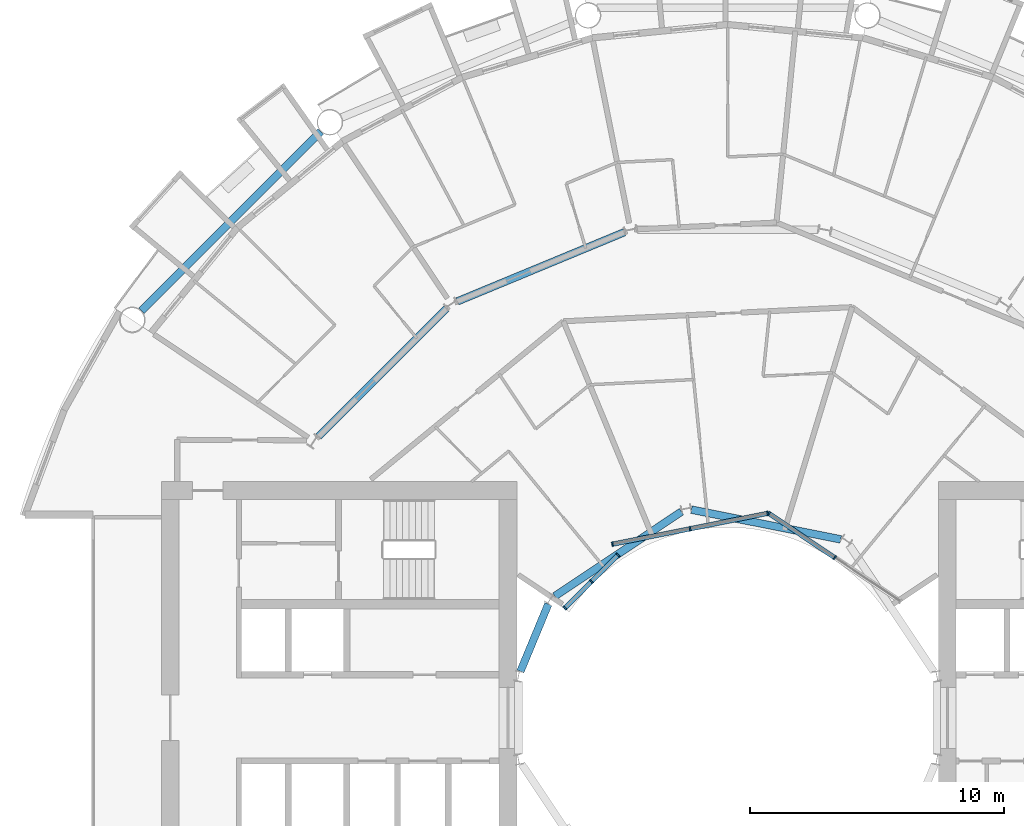
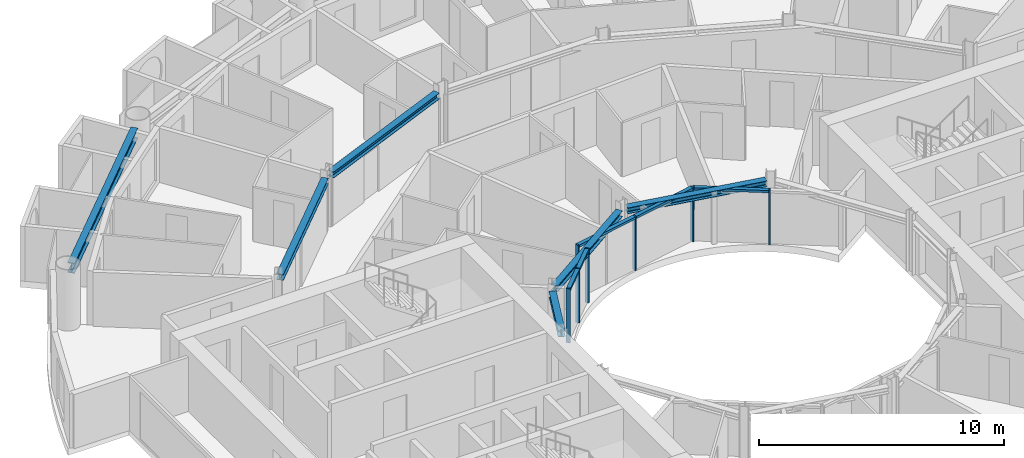
# One storey, part 7 of 26: 13 members, 6 beams, 3 elements without a shape of their own.
"""IFC4 building model written with IfcOpenShell, lengths in metres."""

import ifcopenshell
import ifcopenshell.guid

model = None  # the IFC model being written
_history = None  # IfcOwnerHistory: only IFC2X3 demands one
_inside = {}  # id of a spatial element -> (the spatial element, [elements in it])
_under = {}  # id of a project, library or spatial element -> (it, [spatial elements below it])
_declared = {}  # id of a project -> (the project, [libraries it declares])
_typed = {}  # id of a type object -> (the type object, [elements of that type])
_made_of = {}  # id of a material, layer set ... -> (it, [elements and type objects made of it])


def new_model(schema):
    """Start an empty IFC model of exactly this schema.

    Asked for "IFC4X3", IfcOpenShell would pick the latest addendum, in which some entities
    have other attributes; the version numbers below select the first issue.
    IFC2X3 requires an IfcOwnerHistory on every rooted entity: one is made here for all.
    """
    global model, _history
    if schema == "IFC4X3":
        model = ifcopenshell.file(schema_version=(4, 3, 0, 0))
    else:
        model = ifcopenshell.file(schema=schema)
    _inside.clear()
    _under.clear()
    _declared.clear()
    _typed.clear()
    _made_of.clear()
    _history = None
    if model.schema == "IFC2X3":
        org = make("IfcOrganization", Name="unknown")
        user = make(
            "IfcPersonAndOrganization",
            ThePerson=make("IfcPerson", FamilyName="unknown"),
            TheOrganization=org,
        )
        app = make(
            "IfcApplication",
            ApplicationDeveloper=org,
            Version="unknown",
            ApplicationFullName="unknown",
            ApplicationIdentifier="unknown",
        )
        _history = make(
            "IfcOwnerHistory",
            OwningUser=user,
            OwningApplication=app,
            ChangeAction="ADDED",
            CreationDate=0,
        )
    return model


def make(cls, **values):
    """One entity of the class cls with the attributes given. An attribute that is None is left unset."""
    return model.create_entity(
        cls, **{name: value for name, value in values.items() if value is not None}
    )


def rooted(cls, **values):
    """An entity with a GlobalId (a new one), such as an element, a storey or a relation."""
    return make(cls, GlobalId=ifcopenshell.guid.new(), OwnerHistory=_history, **values)


def si_unit(unit_type, name, prefix=None):
    """IfcSIUnit, for example si_unit("LENGTHUNIT", "METRE", prefix="MILLI")."""
    return make("IfcSIUnit", UnitType=unit_type, Prefix=prefix, Name=name)


def assignment(units):
    """IfcUnitAssignment: the units of a project."""
    return None if units is None else make("IfcUnitAssignment", Units=units)


def point(xyz):
    """IfcCartesianPoint."""
    return None if xyz is None else make("IfcCartesianPoint", Coordinates=xyz)


def direction(xyz):
    """IfcDirection."""
    return None if xyz is None else make("IfcDirection", DirectionRatios=xyz)


def frame(location, z_axis=None, x_axis=None):
    """IfcAxis2Placement3D, a coordinate frame: its origin and axes. An axis left out is left unset."""
    return make(
        "IfcAxis2Placement3D",
        Location=point(location),
        Axis=direction(z_axis),
        RefDirection=direction(x_axis),
    )


def frame_2d(location, x_axis=None):
    """IfcAxis2Placement2D, a coordinate frame in the plane: its origin and x axis."""
    return make(
        "IfcAxis2Placement2D", Location=point(location), RefDirection=direction(x_axis)
    )


def origin():
    """The frame at (0, 0, 0) with its axes left unset."""
    return frame((0.0, 0.0, 0.0))


def origin_2d():
    """The frame at (0, 0) in the plane with its x axis left unset."""
    return frame_2d((0.0, 0.0))


def place(relative_to, where):
    """IfcLocalPlacement: puts the frame where relative to a parent placement (None: the world)."""
    return make(
        "IfcLocalPlacement", PlacementRelTo=relative_to, RelativePlacement=where
    )


def context(
    kind, dimensions, precision=None, world=None, true_north=None, identifier=None
):
    """IfcGeometricRepresentationContext, for example the 3D "Model" context."""
    return make(
        "IfcGeometricRepresentationContext",
        ContextIdentifier=identifier,
        ContextType=kind,
        CoordinateSpaceDimension=dimensions,
        Precision=precision,
        WorldCoordinateSystem=world,
        TrueNorth=true_north,
    )


def subcontext(parent, identifier, kind, view, scale=None):
    """IfcGeometricRepresentationSubContext, for example "Body" below "Model"."""
    return make(
        "IfcGeometricRepresentationSubContext",
        ContextIdentifier=identifier,
        ContextType=kind,
        ParentContext=parent,
        TargetScale=scale,
        TargetView=view,
    )


def project(units=None, contexts=None):
    """IfcProject with its units and contexts."""
    return rooted(
        "IfcProject",
        Name="project",
        RepresentationContexts=contexts,
        UnitsInContext=assignment(units),
    )


def spatial(cls, under=None, at=None, **own):
    """A site, building, storey or space (cls), placed at a placement, below another one or the project."""
    s = rooted(cls, ObjectPlacement=at, **own)
    if under is not None:
        _under.setdefault(under.id(), (under, []))[1].append(s)
    return s


def profile(cls, at=None, kind="AREA", **sizes):
    """A parametric profile (cls). Its sizes go by their IFC names, for example OverallWidth=200.0."""
    return make(cls, ProfileType=kind, Position=at, **sizes)


def rectangle(**sizes):
    """IfcRectangleProfileDef."""
    return profile("IfcRectangleProfileDef", **sizes)


def i_section(**sizes):
    """IfcIShapeProfileDef."""
    return profile("IfcIShapeProfileDef", **sizes)


def extrude(swept, where, along, depth):
    """IfcExtrudedAreaSolid: the profile swept, set in the frame where, extruded along a direction by depth."""
    return make(
        "IfcExtrudedAreaSolid",
        SweptArea=swept,
        Position=where,
        ExtrudedDirection=direction(along),
        Depth=depth,
    )


def shape(context_of_items, identifier, shape_type, items):
    """IfcShapeRepresentation: the items that make up one representation, for example the "Body"."""
    return make(
        "IfcShapeRepresentation",
        ContextOfItems=context_of_items,
        RepresentationIdentifier=identifier,
        RepresentationType=shape_type,
        Items=items,
    )


def material(Name=None, Category=None):
    """IfcMaterial."""
    return make("IfcMaterial", Name=Name, Category=Category)


def layer(
    of_material, thickness, ventilated=None, Name=None, Category=None, Priority=None
):
    """IfcMaterialLayer: one layer of a wall or slab, of a material (None: an air gap)."""
    return make(
        "IfcMaterialLayer",
        Material=of_material,
        LayerThickness=thickness,
        IsVentilated=ventilated,
        Name=Name,
        Category=Category,
        Priority=Priority,
    )


def layer_set(layers, Name=None):
    """IfcMaterialLayerSet."""
    return make("IfcMaterialLayerSet", MaterialLayers=layers, LayerSetName=Name)


def material_profile(
    of_material, cross_section, Name=None, Category=None, Priority=None
):
    """IfcMaterialProfile: a cross section and its material."""
    return make(
        "IfcMaterialProfile",
        Name=Name,
        Material=of_material,
        Profile=cross_section,
        Priority=Priority,
        Category=Category,
    )


def profile_set(profiles, Name=None, composite=None):
    """IfcMaterialProfileSet."""
    return make(
        "IfcMaterialProfileSet",
        Name=Name,
        MaterialProfiles=profiles,
        CompositeProfile=composite,
    )


def made_of(thing, what):
    """Note that an element or type object is made of a material, layer set ...; save() writes the relation."""
    if what is not None:
        _made_of.setdefault(what.id(), (what, []))[1].append(thing)
    return thing


def type_object(cls, material=None, **own):
    """A type object (cls), such as IfcWallType, which elements share."""
    return made_of(rooted(cls, **own), material)


def element(
    cls,
    number,
    at=None,
    inside=None,
    cuts=None,
    type_object=None,
    material=None,
    context=None,
    identifier="Body",
    shape_type=None,
    held_by="IfcProductDefinitionShape",
    body=None,
    shapes=None,
    **own,
):
    """One element of the class cls, such as IfcWall. Its Tag is "e" and its number.

    at: its placement. inside: the storey or other place that contains it. cuts: it is an
    opening in that element (IfcRelVoidsElement). A single representation is given by context,
    identifier, shape_type and body (its items); several are given by shapes. held_by: the class
    of the entity that holds the representations. save() writes the other relations.
    """
    e = rooted(cls, Tag="e%d" % number, ObjectPlacement=at, **own)
    if body is not None:
        shapes = [shape(context, identifier, shape_type, body)]
    if shapes is not None:
        e.Representation = make(held_by, Representations=shapes)
    if inside is not None:
        _inside.setdefault(inside.id(), (inside, []))[1].append(e)
    if cuts is not None:
        rooted(
            "IfcRelVoidsElement", RelatingBuildingElement=cuts, RelatedOpeningElement=e
        )
    if type_object is not None:
        _typed.setdefault(type_object.id(), (type_object, []))[1].append(e)
    return made_of(e, material)


def aggregate(whole, parts):
    """IfcRelAggregates: a whole, such as a stair, and the parts it consists of."""
    return rooted("IfcRelAggregates", RelatingObject=whole, RelatedObjects=parts)


def save(model, path):
    """Write the relations noted so far, then the file.

    IfcRelAggregates (storeys below a building ...), IfcRelContainedInSpatialStructure (elements
    in a storey), IfcRelDefinesByType, IfcRelAssociatesMaterial and IfcRelDeclares: one each for
    every whole, place, type object, material and project.
    """
    for whole, parts in _under.values():
        aggregate(whole, parts)
    for where, things in _inside.values():
        rooted(
            "IfcRelContainedInSpatialStructure",
            RelatedElements=things,
            RelatingStructure=where,
        )
    for kind, things in _typed.values():
        rooted("IfcRelDefinesByType", RelatedObjects=things, RelatingType=kind)
    for what, things in _made_of.values():
        rooted("IfcRelAssociatesMaterial", RelatedObjects=things, RelatingMaterial=what)
    for by, libraries in _declared.values():
        rooted("IfcRelDeclares", RelatingContext=by, RelatedDefinitions=libraries)
    model.write(path)


model = new_model("IFC4")

# Units and contexts
model_context = context("Model", 3, precision=1e-05, world=origin(), true_north=direction((0.0, 1.0)))
body_context = subcontext(model_context, "Body", "Model", "MODEL_VIEW")
ifc_project = project(units=[si_unit("LENGTHUNIT", "METRE"), si_unit("AREAUNIT", "SQUARE_METRE"), si_unit("VOLUMEUNIT", "CUBIC_METRE"), si_unit("PLANEANGLEUNIT", "RADIAN"), si_unit("MASSUNIT", "GRAM", prefix="KILO")], contexts=[model_context])

# Site, building, storey
site_placement = place(None, origin())
site = spatial("IfcSite", under=ifc_project, at=site_placement, CompositionType="ELEMENT")
building_placement = place(site_placement, origin())
building = spatial("IfcBuilding", under=site, at=building_placement, Name="Maasbend Ring Residences", CompositionType="ELEMENT")
storey_placement = place(building_placement, frame((0.0, 0.0, 72.75)))
storey = spatial("IfcBuildingStorey", under=building, at=storey_placement, Name="L20", CompositionType="ELEMENT", Elevation=72.75)

# Curtain wall, members
ifc_material_1 = material(Name="Aluminium and clear glass", Category="aluminium")
ifc_layer = layer(ifc_material_1, 0.179931640625)
ifc_layer_set = layer_set([ifc_layer], Name="CW-W")
curtain_wall_type = type_object("IfcCurtainWallType", Name="CW-W", PredefinedType="NOTDEFINED", material=ifc_layer_set)
curtain_wall_1_placement = place(storey_placement, origin())
curtain_wall_1 = element("IfcCurtainWall", 1, at=curtain_wall_1_placement, inside=storey, type_object=curtain_wall_type, Name="Well curtain wall N1", PredefinedType="NOTDEFINED")
ifc_material_2 = material(Name="Aluminium 6063-T6", Category="aluminium")
ifc_material_profile_1 = material_profile(ifc_material_2, rectangle(XDim=0.179931640625, YDim=0.06005859375, at=origin_2d()), Name="AL 180x60")
ifc_profile_set_1 = profile_set([ifc_material_profile_1], Name="Aluminium 6063-T6")
member_type_1 = type_object("IfcMemberType", Name="CWM-W", PredefinedType="MULLION", material=ifc_profile_set_1)
member_1_placement = place(storey_placement, frame((4.216796875, 6.310791015625, 0.0), z_axis=(0.0, 0.0, 1.0), x_axis=(-0.55557023302, -0.831469612303, 0.0)))
member_1 = element("IfcMember", 2, at=member_1_placement, type_object=member_type_1, Name="Mullion well face", PredefinedType="MULLION", context=body_context, shape_type="SweptSolid", body=[
    extrude(rectangle(XDim=0.179931640625, YDim=0.06005859375, at=origin_2d()), origin(), (0.0, 0.0, 1.0), 2.699951171875),
])
member_2_placement = place(storey_placement, frame((1.627685546875, 8.040771484375, 0.0), z_axis=(0.0, 0.0, 1.0), x_axis=(-0.55557023302, -0.831469612303, 0.0)))
member_2 = element("IfcMember", 3, at=member_2_placement, type_object=member_type_1, Name="Mullion well face", PredefinedType="MULLION", context=body_context, shape_type="SweptSolid", body=[
    extrude(rectangle(XDim=0.179931640625, YDim=0.06005859375, at=origin_2d()), origin(), (0.0, 0.0, 1.0), 2.699951171875),
])

curtain_wall_2_placement = place(storey_placement, origin())
curtain_wall_2 = element("IfcCurtainWall", 4, at=curtain_wall_2_placement, inside=storey, type_object=curtain_wall_type, Name="Well curtain wall N2", PredefinedType="NOTDEFINED")
member_3_placement = place(storey_placement, frame((1.5732421875, 8.0517578125, 0.0), z_axis=(0.0, 0.0, 1.0), x_axis=(0.195090322016, -0.980785280403, 0.0)))
member_3 = element("IfcMember", 5, at=member_3_placement, type_object=member_type_1, Name="Mullion well face", PredefinedType="MULLION", context=body_context, shape_type="SweptSolid", body=[
    extrude(rectangle(XDim=0.179931640625, YDim=0.06005859375, at=origin_2d()), origin(), (0.0, 0.0, 1.0), 2.699951171875),
])
member_4_placement = place(storey_placement, frame((-1.480712890625, 7.444091796875, 0.0), z_axis=(0.0, 0.0, 1.0), x_axis=(0.195090322016, -0.980785280403, 0.0)))
member_4 = element("IfcMember", 6, at=member_4_placement, type_object=member_type_1, Name="Mullion well face", PredefinedType="MULLION", context=body_context, shape_type="SweptSolid", body=[
    extrude(rectangle(XDim=0.179931640625, YDim=0.06005859375, at=origin_2d()), origin(), (0.0, 0.0, 1.0), 2.699951171875),
])
member_5_placement = place(storey_placement, frame((-4.53466796875, 6.836669921875, 0.0), z_axis=(0.0, 0.0, 1.0), x_axis=(0.195090322016, -0.980785280403, 0.0)))
member_5 = element("IfcMember", 7, at=member_5_placement, type_object=member_type_1, Name="Mullion well face", PredefinedType="MULLION", context=body_context, shape_type="SweptSolid", body=[
    extrude(rectangle(XDim=0.179931640625, YDim=0.06005859375, at=origin_2d()), origin(), (0.0, 0.0, 1.0), 2.699951171875),
])

curtain_wall_3_placement = place(storey_placement, origin())
curtain_wall_3 = element("IfcCurtainWall", 8, at=curtain_wall_3_placement, inside=storey, type_object=curtain_wall_type, Name="Well curtain wall N3", PredefinedType="NOTDEFINED")
member_6_placement = place(storey_placement, frame((-4.320556640625, 6.413330078125, 0.0), z_axis=(0.0, 0.0, 1.0), x_axis=(0.707106781187, -0.707106781187, 0.0)))
member_6 = element("IfcMember", 9, at=member_6_placement, type_object=member_type_1, Name="Mullion well face", PredefinedType="MULLION", context=body_context, shape_type="SweptSolid", body=[
    extrude(rectangle(XDim=0.179931640625, YDim=0.06005859375, at=origin_2d()), origin(), (0.0, 0.0, 1.0), 2.699951171875),
])
member_7_placement = place(storey_placement, frame((-5.366943359375, 5.366943359375, 0.0), z_axis=(0.0, 0.0, 1.0), x_axis=(0.707106781187, -0.707106781187, 0.0)))
member_7 = element("IfcMember", 10, at=member_7_placement, type_object=member_type_1, Name="Mullion well face", PredefinedType="MULLION", context=body_context, shape_type="SweptSolid", body=[
    extrude(rectangle(XDim=0.179931640625, YDim=0.06005859375, at=origin_2d()), origin(), (0.0, 0.0, 1.0), 2.699951171875),
])
member_8_placement = place(storey_placement, frame((-6.413330078125, 4.320556640625, 0.0), z_axis=(0.0, 0.0, 1.0), x_axis=(0.707106781187, -0.707106781187, 0.0)))
member_8 = element("IfcMember", 11, at=member_8_placement, type_object=member_type_1, Name="Mullion well face", PredefinedType="MULLION", context=body_context, shape_type="SweptSolid", body=[
    extrude(rectangle(XDim=0.179931640625, YDim=0.06005859375, at=origin_2d()), origin(), (0.0, 0.0, 1.0), 2.699951171875),
])

# Member
ifc_material_3 = material(Name="Aluminium 6063-T6", Category="aluminium")
ifc_material_profile_2 = material_profile(ifc_material_3, rectangle(XDim=0.179931640625, YDim=0.1201171875, at=origin_2d()), Name="AL 180x120")
ifc_profile_set_2 = profile_set([ifc_material_profile_2], Name="Aluminium 6063-T6")
member_type_2 = type_object("IfcMemberType", Name="CWT-W", PredefinedType="USERDEFINED", material=ifc_profile_set_2)
member_9_placement = place(storey_placement, frame((4.19189453125, 6.32763671875, 2.639892578125), z_axis=(-0.831496422459, 0.555530106689, 0.0), x_axis=(-0.555530106689, -0.831496422459, 0.0)))
member_9 = element("IfcMember", 12, at=member_9_placement, type_object=member_type_2, Name="Transom well face", ObjectType="TRANSOM", PredefinedType="USERDEFINED", context=body_context, shape_type="SweptSolid", body=[
    extrude(rectangle(XDim=0.179931640625, YDim=0.1201171875, at=origin_2d()), origin(), (0.0, 0.0, 1.0), 3.053955078125),
])

aggregate(curtain_wall_1, [member_1, member_2, member_9])

member_10_placement = place(storey_placement, frame((1.5439453125, 8.0458984375, 2.639892578125), z_axis=(-0.980776956105, -0.195132166424, 0.0), x_axis=(0.195132166424, -0.980776956105, 0.0)))
member_10 = element("IfcMember", 13, at=member_10_placement, type_object=member_type_2, Name="Transom well face", ObjectType="TRANSOM", PredefinedType="USERDEFINED", context=body_context, shape_type="SweptSolid", body=[
    extrude(rectangle(XDim=0.179931640625, YDim=0.1201171875, at=origin_2d()), origin(), (0.0, 0.0, 1.0), 3.053955078125),
])

member_11_placement = place(storey_placement, frame((-1.51025390625, 7.438232421875, 2.639892578125), z_axis=(-0.980789210404, -0.19507056353, 0.0), x_axis=(0.19507056353, -0.980789210404, 0.0)))
member_11 = element("IfcMember", 14, at=member_11_placement, type_object=member_type_2, Name="Transom well face", ObjectType="TRANSOM", PredefinedType="USERDEFINED", context=body_context, shape_type="SweptSolid", body=[
    extrude(rectangle(XDim=0.179931640625, YDim=0.1201171875, at=origin_2d()), origin(), (0.0, 0.0, 1.0), 3.0537109375),
])

aggregate(curtain_wall_2, [member_3, member_4, member_5, member_10, member_11])

member_12_placement = place(storey_placement, frame((-4.341796875, 6.39208984375, 2.639892578125), z_axis=(-0.707106781187, -0.707106781187, 0.0), x_axis=(0.707106781187, -0.707106781187, 0.0)))
member_12 = element("IfcMember", 15, at=member_12_placement, type_object=member_type_2, Name="Transom well face", ObjectType="TRANSOM", PredefinedType="USERDEFINED", context=body_context, shape_type="SweptSolid", body=[
    extrude(rectangle(XDim=0.179931640625, YDim=0.1201171875, at=origin_2d()), origin(), (0.0, 0.0, 1.0), 1.419677734375),
])

member_13_placement = place(storey_placement, frame((-5.38818359375, 5.345703125, 2.639892578125), z_axis=(-0.707106781187, -0.707106781187, 0.0), x_axis=(0.707106781187, -0.707106781187, 0.0)))
member_13 = element("IfcMember", 16, at=member_13_placement, type_object=member_type_2, Name="Transom well face", ObjectType="TRANSOM", PredefinedType="USERDEFINED", context=body_context, shape_type="SweptSolid", body=[
    extrude(rectangle(XDim=0.179931640625, YDim=0.1201171875, at=origin_2d()), origin(), (0.0, 0.0, 1.0), 1.419677734375),
])

aggregate(curtain_wall_3, [member_6, member_7, member_8, member_12, member_13])

# Beams
ifc_material_4 = material(Name="Steel S355J2", Category="steel")
ifc_material_profile_3 = material_profile(ifc_material_4, i_section(OverallWidth=0.300048828125, OverallDepth=0.300048828125, WebThickness=0.010986328125, FlangeThickness=0.01904296875, FilletRadius=0.027099609375, at=origin_2d()), Name="HEB 300")
ifc_profile_set_3 = profile_set([ifc_material_profile_3], Name="Steel S355J2")
beam_type_1 = type_object("IfcBeamType", Name="Corridor ring beam HEB 300", PredefinedType="BEAM", material=ifc_profile_set_3)
for number, where, z_axis, x_axis, name in (
    (17, (-4.070556640625, 19.12109375, 2.550048828125), (-0.923877113721, -0.382689271788, 0.0), (0.382689271788, -0.923877113721, 0.0), "Corridor ring beam"),
    (18, (-11.078125, 16.10791015625, 2.550048828125), (-0.707106781187, -0.707106781187, 0.0), (0.707106781187, -0.707106781187, 0.0), "Corridor ring beam"),
):
    element("IfcBeam", number, at=place(storey_placement, frame(where, z_axis=z_axis, x_axis=x_axis)), inside=storey, type_object=beam_type_1, Name=name, PredefinedType="BEAM", context=body_context, shape_type="SweptSolid", body=[
        extrude(i_section(OverallWidth=0.300048828125, OverallDepth=0.300048828125, WebThickness=0.010986328125, FlangeThickness=0.01904296875, FilletRadius=0.027099609375, at=origin_2d()), origin(), (0.0, 0.0, 1.0), 7.11328125),
    ])
ifc_material_5 = material(Name="Steel S355J2", Category="steel")
ifc_material_profile_4 = material_profile(ifc_material_5, i_section(OverallWidth=0.300048828125, OverallDepth=0.5, WebThickness=0.014404296875, FlangeThickness=0.028076171875, FilletRadius=0.027099609375, at=origin_2d()), Name="HEB 500")
ifc_profile_set_4 = profile_set([ifc_material_profile_4], Name="Steel S355J2")
beam_type_2 = type_object("IfcBeamType", Name="Spandrel ring beam HEB 500", PredefinedType="SPANDREL", material=ifc_profile_set_4)
beam_1_placement = place(storey_placement, frame((-16.0263671875, 23.088134765625, 2.449951171875), z_axis=(-0.707106781187, -0.707106781187, 0.0), x_axis=(0.707106781187, -0.707106781187, 0.0)))
element("IfcBeam", 19, at=beam_1_placement, inside=storey, type_object=beam_type_2, Name="Spandrel ring beam", PredefinedType="SPANDREL", context=body_context, shape_type="SweptSolid", body=[
    extrude(i_section(OverallWidth=0.300048828125, OverallDepth=0.5, WebThickness=0.014404296875, FlangeThickness=0.028076171875, FilletRadius=0.027099609375, at=origin_2d()), origin(), (0.0, 0.0, 1.0), 9.98681640625),
])
ifc_material_6 = material(Name="Steel S355J2", Category="steel")
ifc_material_profile_5 = material_profile(ifc_material_6, i_section(OverallWidth=0.300048828125, OverallDepth=0.300048828125, WebThickness=0.010986328125, FlangeThickness=0.01904296875, FilletRadius=0.027099609375, at=origin_2d()), Name="HEB 300")
ifc_profile_set_5 = profile_set([ifc_material_profile_5], Name="Steel S355J2")
beam_type_3 = type_object("IfcBeamType", Name="Well edge beam HEB 300", PredefinedType="BEAM", material=ifc_profile_set_5)
beam_2_placement = place(storey_placement, frame((4.45458984375, 7.026611328125, 2.550048828125), z_axis=(-0.980789954577, 0.195066821885, 0.0), x_axis=(-0.195066821885, -0.980789954577, 0.0)))
element("IfcBeam", 20, at=beam_2_placement, inside=storey, type_object=beam_type_3, Name="Well edge beam", PredefinedType="BEAM", context=body_context, shape_type="SweptSolid", body=[
    extrude(i_section(OverallWidth=0.300048828125, OverallDepth=0.300048828125, WebThickness=0.010986328125, FlangeThickness=0.01904296875, FilletRadius=0.027099609375, at=origin_2d()), origin(), (0.0, 0.0, 1.0), 5.996337890625),
])
beam_3_placement = place(storey_placement, frame((-1.81884765625, 8.118408203125, 2.550048828125), z_axis=(-0.83145471117, -0.555592533493, 0.0), x_axis=(0.555592533493, -0.83145471117, 0.0)))
element("IfcBeam", 21, at=beam_3_placement, inside=storey, type_object=beam_type_3, Name="Well edge beam", PredefinedType="BEAM", context=body_context, shape_type="SweptSolid", body=[
    extrude(i_section(OverallWidth=0.300048828125, OverallDepth=0.300048828125, WebThickness=0.010986328125, FlangeThickness=0.01904296875, FilletRadius=0.027099609375, at=origin_2d()), origin(), (0.0, 0.0, 1.0), 5.995849609375),
])
beam_4_placement = place(storey_placement, frame((-7.062255859375, 4.478515625, 2.550048828125), z_axis=(-0.382729955172, -0.923860260761, 0.0), x_axis=(0.923860260761, -0.382729955172, 0.0)))
element("IfcBeam", 22, at=beam_4_placement, inside=storey, type_object=beam_type_3, Name="Well edge beam", PredefinedType="BEAM", context=body_context, shape_type="SweptSolid", body=[
    extrude(i_section(OverallWidth=0.300048828125, OverallDepth=0.300048828125, WebThickness=0.010986328125, FlangeThickness=0.01904296875, FilletRadius=0.027099609375, at=origin_2d()), origin(), (0.0, 0.0, 1.0), 2.869873046875),
])

save(model, "model.ifc")
